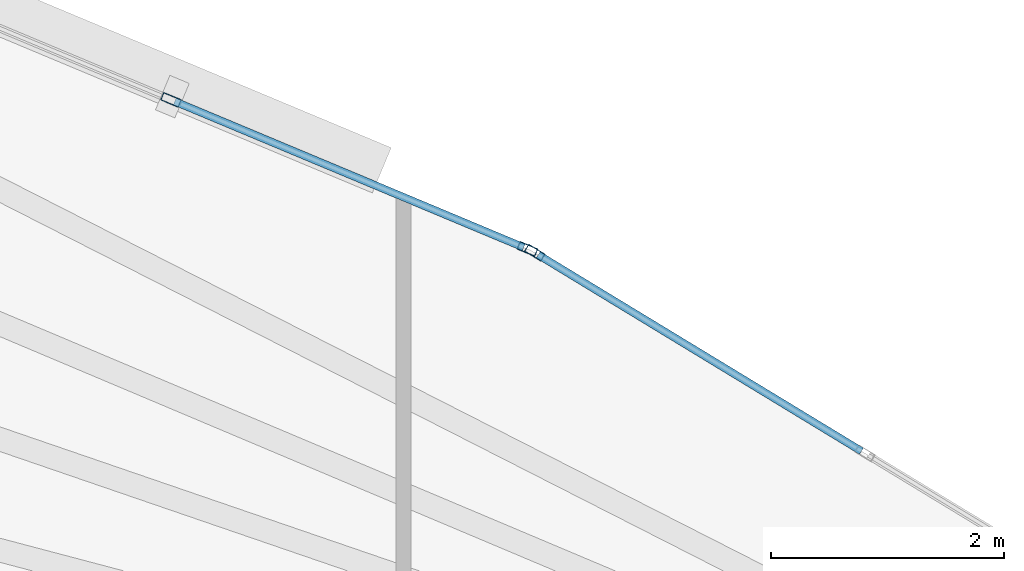
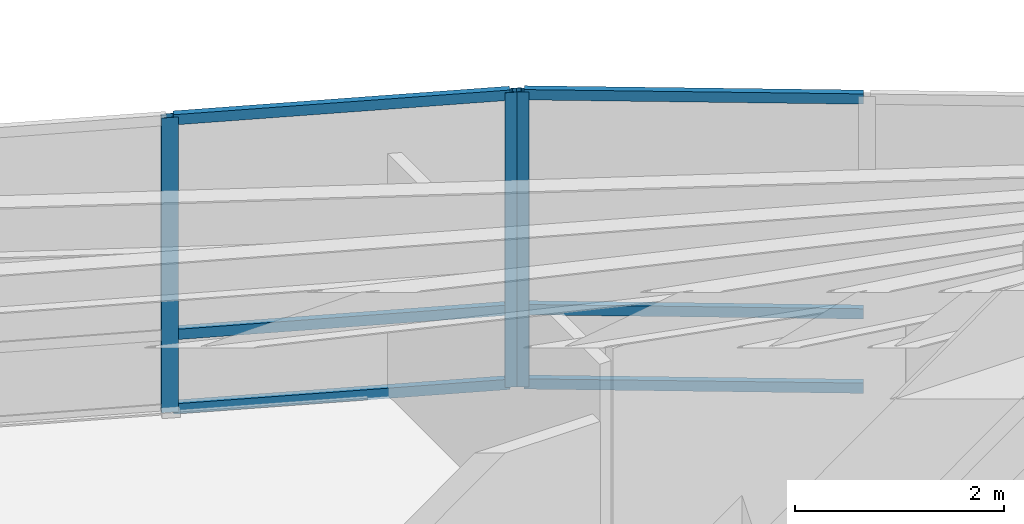
# One storey, part 12 of 18: 9 members, 2 elements without a shape of their own.
"""IFC4 building model written with IfcOpenShell, lengths in metres."""

import ifcopenshell
import ifcopenshell.guid

model = None  # the IFC model being written
_history = None  # IfcOwnerHistory: only IFC2X3 demands one
_inside = {}  # id of a spatial element -> (the spatial element, [elements in it])
_under = {}  # id of a project, library or spatial element -> (it, [spatial elements below it])
_declared = {}  # id of a project -> (the project, [libraries it declares])
_typed = {}  # id of a type object -> (the type object, [elements of that type])
_made_of = {}  # id of a material, layer set ... -> (it, [elements and type objects made of it])


def new_model(schema):
    """Start an empty IFC model of exactly this schema.

    Asked for "IFC4X3", IfcOpenShell would pick the latest addendum, in which some entities
    have other attributes; the version numbers below select the first issue.
    IFC2X3 requires an IfcOwnerHistory on every rooted entity: one is made here for all.
    """
    global model, _history
    if schema == "IFC4X3":
        model = ifcopenshell.file(schema_version=(4, 3, 0, 0))
    else:
        model = ifcopenshell.file(schema=schema)
    _inside.clear()
    _under.clear()
    _declared.clear()
    _typed.clear()
    _made_of.clear()
    _history = None
    if model.schema == "IFC2X3":
        org = make("IfcOrganization", Name="unknown")
        user = make(
            "IfcPersonAndOrganization",
            ThePerson=make("IfcPerson", FamilyName="unknown"),
            TheOrganization=org,
        )
        app = make(
            "IfcApplication",
            ApplicationDeveloper=org,
            Version="unknown",
            ApplicationFullName="unknown",
            ApplicationIdentifier="unknown",
        )
        _history = make(
            "IfcOwnerHistory",
            OwningUser=user,
            OwningApplication=app,
            ChangeAction="ADDED",
            CreationDate=0,
        )
    return model


def make(cls, **values):
    """One entity of the class cls with the attributes given. An attribute that is None is left unset."""
    return model.create_entity(
        cls, **{name: value for name, value in values.items() if value is not None}
    )


def rooted(cls, **values):
    """An entity with a GlobalId (a new one), such as an element, a storey or a relation."""
    return make(cls, GlobalId=ifcopenshell.guid.new(), OwnerHistory=_history, **values)


def si_unit(unit_type, name, prefix=None):
    """IfcSIUnit, for example si_unit("LENGTHUNIT", "METRE", prefix="MILLI")."""
    return make("IfcSIUnit", UnitType=unit_type, Prefix=prefix, Name=name)


def assignment(units):
    """IfcUnitAssignment: the units of a project."""
    return None if units is None else make("IfcUnitAssignment", Units=units)


def point(xyz):
    """IfcCartesianPoint."""
    return None if xyz is None else make("IfcCartesianPoint", Coordinates=xyz)


def direction(xyz):
    """IfcDirection."""
    return None if xyz is None else make("IfcDirection", DirectionRatios=xyz)


def frame(location, z_axis=None, x_axis=None):
    """IfcAxis2Placement3D, a coordinate frame: its origin and axes. An axis left out is left unset."""
    return make(
        "IfcAxis2Placement3D",
        Location=point(location),
        Axis=direction(z_axis),
        RefDirection=direction(x_axis),
    )


def frame_2d(location, x_axis=None):
    """IfcAxis2Placement2D, a coordinate frame in the plane: its origin and x axis."""
    return make(
        "IfcAxis2Placement2D", Location=point(location), RefDirection=direction(x_axis)
    )


def origin():
    """The frame at (0, 0, 0) with its axes left unset."""
    return frame((0.0, 0.0, 0.0))


def origin_2d():
    """The frame at (0, 0) in the plane with its x axis left unset."""
    return frame_2d((0.0, 0.0))


def place(relative_to, where):
    """IfcLocalPlacement: puts the frame where relative to a parent placement (None: the world)."""
    return make(
        "IfcLocalPlacement", PlacementRelTo=relative_to, RelativePlacement=where
    )


def context(
    kind, dimensions, precision=None, world=None, true_north=None, identifier=None
):
    """IfcGeometricRepresentationContext, for example the 3D "Model" context."""
    return make(
        "IfcGeometricRepresentationContext",
        ContextIdentifier=identifier,
        ContextType=kind,
        CoordinateSpaceDimension=dimensions,
        Precision=precision,
        WorldCoordinateSystem=world,
        TrueNorth=true_north,
    )


def subcontext(parent, identifier, kind, view, scale=None):
    """IfcGeometricRepresentationSubContext, for example "Body" below "Model"."""
    return make(
        "IfcGeometricRepresentationSubContext",
        ContextIdentifier=identifier,
        ContextType=kind,
        ParentContext=parent,
        TargetScale=scale,
        TargetView=view,
    )


def project(units=None, contexts=None):
    """IfcProject with its units and contexts."""
    return rooted(
        "IfcProject",
        Name="project",
        RepresentationContexts=contexts,
        UnitsInContext=assignment(units),
    )


def spatial(cls, under=None, at=None, **own):
    """A site, building, storey or space (cls), placed at a placement, below another one or the project."""
    s = rooted(cls, ObjectPlacement=at, **own)
    if under is not None:
        _under.setdefault(under.id(), (under, []))[1].append(s)
    return s


def profile(cls, at=None, kind="AREA", **sizes):
    """A parametric profile (cls). Its sizes go by their IFC names, for example OverallWidth=200.0."""
    return make(cls, ProfileType=kind, Position=at, **sizes)


def hollow_rectangle(**sizes):
    """IfcRectangleHollowProfileDef."""
    return profile("IfcRectangleHollowProfileDef", **sizes)


def extrude(swept, where, along, depth):
    """IfcExtrudedAreaSolid: the profile swept, set in the frame where, extruded along a direction by depth."""
    return make(
        "IfcExtrudedAreaSolid",
        SweptArea=swept,
        Position=where,
        ExtrudedDirection=direction(along),
        Depth=depth,
    )


def shape(context_of_items, identifier, shape_type, items):
    """IfcShapeRepresentation: the items that make up one representation, for example the "Body"."""
    return make(
        "IfcShapeRepresentation",
        ContextOfItems=context_of_items,
        RepresentationIdentifier=identifier,
        RepresentationType=shape_type,
        Items=items,
    )


def material(Name=None, Category=None):
    """IfcMaterial."""
    return make("IfcMaterial", Name=Name, Category=Category)


def layer(
    of_material, thickness, ventilated=None, Name=None, Category=None, Priority=None
):
    """IfcMaterialLayer: one layer of a wall or slab, of a material (None: an air gap)."""
    return make(
        "IfcMaterialLayer",
        Material=of_material,
        LayerThickness=thickness,
        IsVentilated=ventilated,
        Name=Name,
        Category=Category,
        Priority=Priority,
    )


def layer_set(layers, Name=None):
    """IfcMaterialLayerSet."""
    return make("IfcMaterialLayerSet", MaterialLayers=layers, LayerSetName=Name)


def material_profile(
    of_material, cross_section, Name=None, Category=None, Priority=None
):
    """IfcMaterialProfile: a cross section and its material."""
    return make(
        "IfcMaterialProfile",
        Name=Name,
        Material=of_material,
        Profile=cross_section,
        Priority=Priority,
        Category=Category,
    )


def profile_set(profiles, Name=None, composite=None):
    """IfcMaterialProfileSet."""
    return make(
        "IfcMaterialProfileSet",
        Name=Name,
        MaterialProfiles=profiles,
        CompositeProfile=composite,
    )


def made_of(thing, what):
    """Note that an element or type object is made of a material, layer set ...; save() writes the relation."""
    if what is not None:
        _made_of.setdefault(what.id(), (what, []))[1].append(thing)
    return thing


def type_object(cls, material=None, **own):
    """A type object (cls), such as IfcWallType, which elements share."""
    return made_of(rooted(cls, **own), material)


def element(
    cls,
    number,
    at=None,
    inside=None,
    cuts=None,
    type_object=None,
    material=None,
    context=None,
    identifier="Body",
    shape_type=None,
    held_by="IfcProductDefinitionShape",
    body=None,
    shapes=None,
    **own,
):
    """One element of the class cls, such as IfcWall. Its Tag is "e" and its number.

    at: its placement. inside: the storey or other place that contains it. cuts: it is an
    opening in that element (IfcRelVoidsElement). A single representation is given by context,
    identifier, shape_type and body (its items); several are given by shapes. held_by: the class
    of the entity that holds the representations. save() writes the other relations.
    """
    e = rooted(cls, Tag="e%d" % number, ObjectPlacement=at, **own)
    if body is not None:
        shapes = [shape(context, identifier, shape_type, body)]
    if shapes is not None:
        e.Representation = make(held_by, Representations=shapes)
    if inside is not None:
        _inside.setdefault(inside.id(), (inside, []))[1].append(e)
    if cuts is not None:
        rooted(
            "IfcRelVoidsElement", RelatingBuildingElement=cuts, RelatedOpeningElement=e
        )
    if type_object is not None:
        _typed.setdefault(type_object.id(), (type_object, []))[1].append(e)
    return made_of(e, material)


def aggregate(whole, parts):
    """IfcRelAggregates: a whole, such as a stair, and the parts it consists of."""
    return rooted("IfcRelAggregates", RelatingObject=whole, RelatedObjects=parts)


def save(model, path):
    """Write the relations noted so far, then the file.

    IfcRelAggregates (storeys below a building ...), IfcRelContainedInSpatialStructure (elements
    in a storey), IfcRelDefinesByType, IfcRelAssociatesMaterial and IfcRelDeclares: one each for
    every whole, place, type object, material and project.
    """
    for whole, parts in _under.values():
        aggregate(whole, parts)
    for where, things in _inside.values():
        rooted(
            "IfcRelContainedInSpatialStructure",
            RelatedElements=things,
            RelatingStructure=where,
        )
    for kind, things in _typed.values():
        rooted("IfcRelDefinesByType", RelatedObjects=things, RelatingType=kind)
    for what, things in _made_of.values():
        rooted("IfcRelAssociatesMaterial", RelatedObjects=things, RelatingMaterial=what)
    for by, libraries in _declared.values():
        rooted("IfcRelDeclares", RelatingContext=by, RelatedDefinitions=libraries)
    model.write(path)


model = new_model("IFC4")

# Units and contexts
model_context = context("Model", 3, precision=1e-05, world=origin(), true_north=direction((0.0, 1.0)))
body_context = subcontext(model_context, "Body", "Model", "MODEL_VIEW")
ifc_project = project(units=[si_unit("LENGTHUNIT", "METRE"), si_unit("AREAUNIT", "SQUARE_METRE"), si_unit("VOLUMEUNIT", "CUBIC_METRE"), si_unit("PLANEANGLEUNIT", "RADIAN"), si_unit("MASSUNIT", "GRAM", prefix="KILO")], contexts=[model_context])

# Site, building, storey
site_placement = place(None, origin())
site = spatial("IfcSite", under=ifc_project, at=site_placement, CompositionType="ELEMENT")
building_placement = place(site_placement, origin())
building = spatial("IfcBuilding", under=site, at=building_placement, Name="Menara Vayukalpa", CompositionType="ELEMENT")
storey_placement = place(building_placement, frame((0.0, 0.0, 53.639892578125)))
storey = spatial("IfcBuildingStorey", under=building, at=storey_placement, Name="L12", CompositionType="ELEMENT", Elevation=53.639892578125)

# Curtain wall, member
ifc_material_1 = material(Name="Anodised Terracotta Aluminium Alloy 6063-T6", Category="masonry")
ifc_layer = layer(ifc_material_1, 0.1650390625)
ifc_layer_set = layer_set([ifc_layer], Name="Anodised Terracotta Aluminium Alloy 6063-T6")
curtain_wall_type = type_object("IfcCurtainWallType", Name="CW-CW2", PredefinedType="USERDEFINED", material=ifc_layer_set)
curtain_wall_1_placement = place(storey_placement, origin())
curtain_wall_1 = element("IfcCurtainWall", 1, at=curtain_wall_1_placement, inside=storey, type_object=curtain_wall_type, Name="L12 Low Rise Terracotta Ribbon Curtain Wall CW2 04", ObjectType="UNITISED", PredefinedType="USERDEFINED")
ifc_material_2 = material(Name="Anodised Terracotta Aluminium Alloy 6063-T6", Category="masonry")
ifc_material_profile_1 = material_profile(ifc_material_2, hollow_rectangle(XDim=0.070068359375, YDim=0.1650390625, WallThickness=0.00390625, at=origin_2d()), Name="ALU 70x165x4")
ifc_profile_set_1 = profile_set([ifc_material_profile_1], Name="Anodised Terracotta Aluminium Alloy 6063-T6")
member_type_1 = type_object("IfcMemberType", Name="CWM-CW2", PredefinedType="MULLION", material=ifc_profile_set_1)
member_1_placement = place(storey_placement, frame((30.125, 32.30126953125, 0.0), z_axis=(0.0, 0.0, 1.0), x_axis=(-0.519181964377, -0.854663727945, 0.0)))
member_1 = element("IfcMember", 2, at=member_1_placement, type_object=member_type_1, Name="CW2 mullion 3", PredefinedType="MULLION", context=body_context, shape_type="SweptSolid", body=[
    extrude(hollow_rectangle(XDim=0.070068359375, YDim=0.1650390625, WallThickness=0.00390625, at=origin_2d()), origin(), (0.0, 0.0, 1.0), 3.440185546875),
])

# Curtain wall, members
curtain_wall_2_placement = place(storey_placement, origin())
curtain_wall_2 = element("IfcCurtainWall", 3, at=curtain_wall_2_placement, inside=storey, type_object=curtain_wall_type, Name="L12 Low Rise Terracotta Ribbon Curtain Wall CW2 05", ObjectType="UNITISED", PredefinedType="USERDEFINED")
member_2_placement = place(storey_placement, frame((30.062744140625, 32.3330078125, 0.0), z_axis=(0.0, 0.0, 1.0), x_axis=(-0.385895120445, -0.922542658101, 0.0)))
member_2 = element("IfcMember", 4, at=member_2_placement, type_object=member_type_1, Name="CW2 mullion 1", PredefinedType="MULLION", context=body_context, shape_type="SweptSolid", body=[
    extrude(hollow_rectangle(XDim=0.070068359375, YDim=0.1650390625, WallThickness=0.00390625, at=origin_2d()), origin(), (0.0, 0.0, 1.0), 3.440185546875),
])
member_3_placement = place(storey_placement, frame((27.0068359375, 33.611083984375, 0.0), z_axis=(0.0, 0.0, 1.0), x_axis=(-0.385895120445, -0.922542658101, 0.0)))
member_3 = element("IfcMember", 5, at=member_3_placement, type_object=member_type_1, Name="CW2 mullion 2", PredefinedType="MULLION", context=body_context, shape_type="SweptSolid", body=[
    extrude(hollow_rectangle(XDim=0.070068359375, YDim=0.1650390625, WallThickness=0.00390625, at=origin_2d()), origin(), (0.0, 0.0, 1.0), 3.440185546875),
])

# Member
ifc_material_3 = material(Name="Anodised Terracotta Aluminium Alloy 6063-T6", Category="masonry")
ifc_material_profile_2 = material_profile(ifc_material_3, hollow_rectangle(XDim=0.06494140625, YDim=0.1201171875, WallThickness=0.00341796875, at=origin_2d()), Name="ALU 65x120x3.5")
ifc_profile_set_2 = profile_set([ifc_material_profile_2], Name="Anodised Terracotta Aluminium Alloy 6063-T6")
member_type_2 = type_object("IfcMemberType", Name="CWT-CW2", PredefinedType="USERDEFINED", material=ifc_profile_set_2)
member_4_placement = place(storey_placement, frame((32.92626953125, 30.599609375, 0.03271484375), z_axis=(-0.854676552714, 0.519160851992, 0.0), x_axis=(-0.519160851992, -0.854676552714, 0.0)))
member_4 = element("IfcMember", 6, at=member_4_placement, type_object=member_type_2, Name="CW2 transom 2.1", ObjectType="TRANSOM", PredefinedType="USERDEFINED", context=body_context, shape_type="SweptSolid", body=[
    extrude(hollow_rectangle(XDim=0.06494140625, YDim=0.1201171875, WallThickness=0.00341796875, at=origin_2d()), origin(), (0.0, 0.0, 1.0), 3.242431640625),
])

member_5_placement = place(storey_placement, frame((32.92626953125, 30.599609375, 0.900146484375), z_axis=(-0.854676552714, 0.519160851992, 0.0), x_axis=(-0.519160851992, -0.854676552714, 0.0)))
member_5 = element("IfcMember", 7, at=member_5_placement, type_object=member_type_2, Name="CW2 transom 2.2", ObjectType="TRANSOM", PredefinedType="USERDEFINED", context=body_context, shape_type="SweptSolid", body=[
    extrude(hollow_rectangle(XDim=0.06494140625, YDim=0.1201171875, WallThickness=0.00341796875, at=origin_2d()), origin(), (0.0, 0.0, 1.0), 3.242431640625),
])

member_6_placement = place(storey_placement, frame((32.92626953125, 30.599609375, 3.40771484375), z_axis=(-0.854676552714, 0.519160851992, 0.0), x_axis=(-0.519160851992, -0.854676552714, 0.0)))
member_6 = element("IfcMember", 8, at=member_6_placement, type_object=member_type_2, Name="CW2 transom 2.3", ObjectType="TRANSOM", PredefinedType="USERDEFINED", context=body_context, shape_type="SweptSolid", body=[
    extrude(hollow_rectangle(XDim=0.06494140625, YDim=0.1201171875, WallThickness=0.00341796875, at=origin_2d()), origin(), (0.0, 0.0, 1.0), 3.242431640625),
])

aggregate(curtain_wall_1, [member_1, member_4, member_5, member_6])

member_7_placement = place(storey_placement, frame((30.030517578125, 32.346435546875, 0.03271484375), z_axis=(-0.922552588381, 0.385871379699, 0.0), x_axis=(-0.385871379699, -0.922552588381, 0.0)))
member_7 = element("IfcMember", 9, at=member_7_placement, type_object=member_type_2, Name="CW2 transom 1.1", ObjectType="TRANSOM", PredefinedType="USERDEFINED", context=body_context, shape_type="SweptSolid", body=[
    extrude(hollow_rectangle(XDim=0.06494140625, YDim=0.1201171875, WallThickness=0.00341796875, at=origin_2d()), origin(), (0.0, 0.0, 1.0), 3.24267578125),
])

member_8_placement = place(storey_placement, frame((30.030517578125, 32.346435546875, 0.900146484375), z_axis=(-0.922552588381, 0.385871379699, 0.0), x_axis=(-0.385871379699, -0.922552588381, 0.0)))
member_8 = element("IfcMember", 10, at=member_8_placement, type_object=member_type_2, Name="CW2 transom 1.2", ObjectType="TRANSOM", PredefinedType="USERDEFINED", context=body_context, shape_type="SweptSolid", body=[
    extrude(hollow_rectangle(XDim=0.06494140625, YDim=0.1201171875, WallThickness=0.00341796875, at=origin_2d()), origin(), (0.0, 0.0, 1.0), 3.24267578125),
])

member_9_placement = place(storey_placement, frame((30.030517578125, 32.346435546875, 3.40771484375), z_axis=(-0.922552588381, 0.385871379699, 0.0), x_axis=(-0.385871379699, -0.922552588381, 0.0)))
member_9 = element("IfcMember", 11, at=member_9_placement, type_object=member_type_2, Name="CW2 transom 1.3", ObjectType="TRANSOM", PredefinedType="USERDEFINED", context=body_context, shape_type="SweptSolid", body=[
    extrude(hollow_rectangle(XDim=0.06494140625, YDim=0.1201171875, WallThickness=0.00341796875, at=origin_2d()), origin(), (0.0, 0.0, 1.0), 3.24267578125),
])

aggregate(curtain_wall_2, [member_2, member_3, member_7, member_8, member_9])

save(model, "model.ifc")
